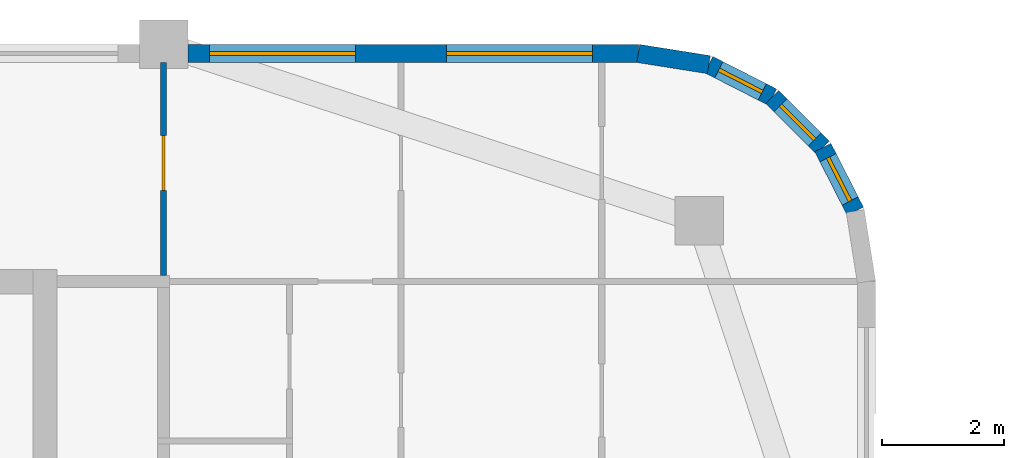
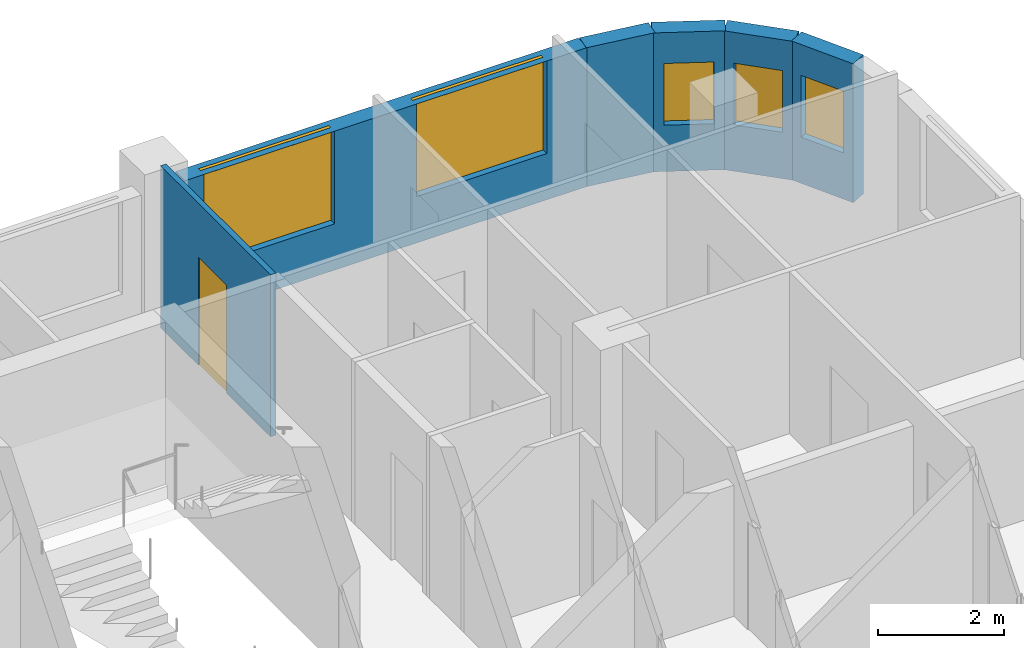
# One storey, part 12 of 16: 6 walls, 5 windows, 1 door, 6 openings.
"""IFC4 building model written with IfcOpenShell, lengths in metres."""

import ifcopenshell
import ifcopenshell.guid

model = None  # the IFC model being written
_history = None  # IfcOwnerHistory: only IFC2X3 demands one
_inside = {}  # id of a spatial element -> (the spatial element, [elements in it])
_under = {}  # id of a project, library or spatial element -> (it, [spatial elements below it])
_declared = {}  # id of a project -> (the project, [libraries it declares])
_typed = {}  # id of a type object -> (the type object, [elements of that type])
_made_of = {}  # id of a material, layer set ... -> (it, [elements and type objects made of it])


def new_model(schema):
    """Start an empty IFC model of exactly this schema.

    Asked for "IFC4X3", IfcOpenShell would pick the latest addendum, in which some entities
    have other attributes; the version numbers below select the first issue.
    IFC2X3 requires an IfcOwnerHistory on every rooted entity: one is made here for all.
    """
    global model, _history
    if schema == "IFC4X3":
        model = ifcopenshell.file(schema_version=(4, 3, 0, 0))
    else:
        model = ifcopenshell.file(schema=schema)
    _inside.clear()
    _under.clear()
    _declared.clear()
    _typed.clear()
    _made_of.clear()
    _history = None
    if model.schema == "IFC2X3":
        org = make("IfcOrganization", Name="unknown")
        user = make(
            "IfcPersonAndOrganization",
            ThePerson=make("IfcPerson", FamilyName="unknown"),
            TheOrganization=org,
        )
        app = make(
            "IfcApplication",
            ApplicationDeveloper=org,
            Version="unknown",
            ApplicationFullName="unknown",
            ApplicationIdentifier="unknown",
        )
        _history = make(
            "IfcOwnerHistory",
            OwningUser=user,
            OwningApplication=app,
            ChangeAction="ADDED",
            CreationDate=0,
        )
    return model


def make(cls, **values):
    """One entity of the class cls with the attributes given. An attribute that is None is left unset."""
    return model.create_entity(
        cls, **{name: value for name, value in values.items() if value is not None}
    )


def rooted(cls, **values):
    """An entity with a GlobalId (a new one), such as an element, a storey or a relation."""
    return make(cls, GlobalId=ifcopenshell.guid.new(), OwnerHistory=_history, **values)


def si_unit(unit_type, name, prefix=None):
    """IfcSIUnit, for example si_unit("LENGTHUNIT", "METRE", prefix="MILLI")."""
    return make("IfcSIUnit", UnitType=unit_type, Prefix=prefix, Name=name)


def assignment(units):
    """IfcUnitAssignment: the units of a project."""
    return None if units is None else make("IfcUnitAssignment", Units=units)


def point(xyz):
    """IfcCartesianPoint."""
    return None if xyz is None else make("IfcCartesianPoint", Coordinates=xyz)


def direction(xyz):
    """IfcDirection."""
    return None if xyz is None else make("IfcDirection", DirectionRatios=xyz)


def frame(location, z_axis=None, x_axis=None):
    """IfcAxis2Placement3D, a coordinate frame: its origin and axes. An axis left out is left unset."""
    return make(
        "IfcAxis2Placement3D",
        Location=point(location),
        Axis=direction(z_axis),
        RefDirection=direction(x_axis),
    )


def frame_2d(location, x_axis=None):
    """IfcAxis2Placement2D, a coordinate frame in the plane: its origin and x axis."""
    return make(
        "IfcAxis2Placement2D", Location=point(location), RefDirection=direction(x_axis)
    )


def origin():
    """The frame at (0, 0, 0) with its axes left unset."""
    return frame((0.0, 0.0, 0.0))


def place(relative_to, where):
    """IfcLocalPlacement: puts the frame where relative to a parent placement (None: the world)."""
    return make(
        "IfcLocalPlacement", PlacementRelTo=relative_to, RelativePlacement=where
    )


def context(
    kind, dimensions, precision=None, world=None, true_north=None, identifier=None
):
    """IfcGeometricRepresentationContext, for example the 3D "Model" context."""
    return make(
        "IfcGeometricRepresentationContext",
        ContextIdentifier=identifier,
        ContextType=kind,
        CoordinateSpaceDimension=dimensions,
        Precision=precision,
        WorldCoordinateSystem=world,
        TrueNorth=true_north,
    )


def subcontext(parent, identifier, kind, view, scale=None):
    """IfcGeometricRepresentationSubContext, for example "Body" below "Model"."""
    return make(
        "IfcGeometricRepresentationSubContext",
        ContextIdentifier=identifier,
        ContextType=kind,
        ParentContext=parent,
        TargetScale=scale,
        TargetView=view,
    )


def project(units=None, contexts=None):
    """IfcProject with its units and contexts."""
    return rooted(
        "IfcProject",
        Name="project",
        RepresentationContexts=contexts,
        UnitsInContext=assignment(units),
    )


def spatial(cls, under=None, at=None, **own):
    """A site, building, storey or space (cls), placed at a placement, below another one or the project."""
    s = rooted(cls, ObjectPlacement=at, **own)
    if under is not None:
        _under.setdefault(under.id(), (under, []))[1].append(s)
    return s


def profile(cls, at=None, kind="AREA", **sizes):
    """A parametric profile (cls). Its sizes go by their IFC names, for example OverallWidth=200.0."""
    return make(cls, ProfileType=kind, Position=at, **sizes)


def rectangle(**sizes):
    """IfcRectangleProfileDef."""
    return profile("IfcRectangleProfileDef", **sizes)


def extrude(swept, where, along, depth):
    """IfcExtrudedAreaSolid: the profile swept, set in the frame where, extruded along a direction by depth."""
    return make(
        "IfcExtrudedAreaSolid",
        SweptArea=swept,
        Position=where,
        ExtrudedDirection=direction(along),
        Depth=depth,
    )


def shape(context_of_items, identifier, shape_type, items):
    """IfcShapeRepresentation: the items that make up one representation, for example the "Body"."""
    return make(
        "IfcShapeRepresentation",
        ContextOfItems=context_of_items,
        RepresentationIdentifier=identifier,
        RepresentationType=shape_type,
        Items=items,
    )


def material(Name=None, Category=None):
    """IfcMaterial."""
    return make("IfcMaterial", Name=Name, Category=Category)


def layer(
    of_material, thickness, ventilated=None, Name=None, Category=None, Priority=None
):
    """IfcMaterialLayer: one layer of a wall or slab, of a material (None: an air gap)."""
    return make(
        "IfcMaterialLayer",
        Material=of_material,
        LayerThickness=thickness,
        IsVentilated=ventilated,
        Name=Name,
        Category=Category,
        Priority=Priority,
    )


def layer_set(layers, Name=None):
    """IfcMaterialLayerSet."""
    return make("IfcMaterialLayerSet", MaterialLayers=layers, LayerSetName=Name)


def made_of(thing, what):
    """Note that an element or type object is made of a material, layer set ...; save() writes the relation."""
    if what is not None:
        _made_of.setdefault(what.id(), (what, []))[1].append(thing)
    return thing


def type_object(cls, material=None, **own):
    """A type object (cls), such as IfcWallType, which elements share."""
    return made_of(rooted(cls, **own), material)


def element(
    cls,
    number,
    at=None,
    inside=None,
    cuts=None,
    type_object=None,
    material=None,
    context=None,
    identifier="Body",
    shape_type=None,
    held_by="IfcProductDefinitionShape",
    body=None,
    shapes=None,
    **own,
):
    """One element of the class cls, such as IfcWall. Its Tag is "e" and its number.

    at: its placement. inside: the storey or other place that contains it. cuts: it is an
    opening in that element (IfcRelVoidsElement). A single representation is given by context,
    identifier, shape_type and body (its items); several are given by shapes. held_by: the class
    of the entity that holds the representations. save() writes the other relations.
    """
    e = rooted(cls, Tag="e%d" % number, ObjectPlacement=at, **own)
    if body is not None:
        shapes = [shape(context, identifier, shape_type, body)]
    if shapes is not None:
        e.Representation = make(held_by, Representations=shapes)
    if inside is not None:
        _inside.setdefault(inside.id(), (inside, []))[1].append(e)
    if cuts is not None:
        rooted(
            "IfcRelVoidsElement", RelatingBuildingElement=cuts, RelatedOpeningElement=e
        )
    if type_object is not None:
        _typed.setdefault(type_object.id(), (type_object, []))[1].append(e)
    return made_of(e, material)


def fill(opening, filler):
    """IfcRelFillsElement: the door or window that sits in an opening."""
    return rooted(
        "IfcRelFillsElement",
        RelatingOpeningElement=opening,
        RelatedBuildingElement=filler,
    )


def aggregate(whole, parts):
    """IfcRelAggregates: a whole, such as a stair, and the parts it consists of."""
    return rooted("IfcRelAggregates", RelatingObject=whole, RelatedObjects=parts)


def save(model, path):
    """Write the relations noted so far, then the file.

    IfcRelAggregates (storeys below a building ...), IfcRelContainedInSpatialStructure (elements
    in a storey), IfcRelDefinesByType, IfcRelAssociatesMaterial and IfcRelDeclares: one each for
    every whole, place, type object, material and project.
    """
    for whole, parts in _under.values():
        aggregate(whole, parts)
    for where, things in _inside.values():
        rooted(
            "IfcRelContainedInSpatialStructure",
            RelatedElements=things,
            RelatingStructure=where,
        )
    for kind, things in _typed.values():
        rooted("IfcRelDefinesByType", RelatedObjects=things, RelatingType=kind)
    for what, things in _made_of.values():
        rooted("IfcRelAssociatesMaterial", RelatedObjects=things, RelatingMaterial=what)
    for by, libraries in _declared.values():
        rooted("IfcRelDeclares", RelatingContext=by, RelatedDefinitions=libraries)
    model.write(path)


model = new_model("IFC4")

# Units and contexts
model_context = context("Model", 3, precision=1e-05, world=origin(), true_north=direction((0.0, 1.0)))
body_context = subcontext(model_context, "Body", "Model", "MODEL_VIEW")
ifc_project = project(units=[si_unit("LENGTHUNIT", "METRE"), si_unit("AREAUNIT", "SQUARE_METRE"), si_unit("VOLUMEUNIT", "CUBIC_METRE"), si_unit("PLANEANGLEUNIT", "RADIAN"), si_unit("MASSUNIT", "GRAM", prefix="KILO")], contexts=[model_context])

# Site, building, storey
site_placement = place(None, origin())
site = spatial("IfcSite", under=ifc_project, at=site_placement, CompositionType="ELEMENT")
building_placement = place(site_placement, origin())
building = spatial("IfcBuilding", under=site, at=building_placement, Name="Ludao Terraces", CompositionType="ELEMENT")
storey_placement = place(building_placement, frame((0.0, 0.0, 234.699951171875)))
storey = spatial("IfcBuildingStorey", under=building, at=storey_placement, Name="L64", CompositionType="ELEMENT", Elevation=234.699951171875)

# Wall, openings, windows
ifc_material_1 = material(Name="Granite cladding", Category="masonry")
ifc_layer_1 = layer(ifc_material_1, 0.0400390625, Category="stone")
ifc_material_2 = material(Name="Mineral wool")
ifc_layer_2 = layer(ifc_material_2, 0.06005859375)
ifc_material_3 = material(Name="Concrete C40", Category="concrete")
ifc_layer_3 = layer(ifc_material_3, 0.199951171875, Category="concrete")
ifc_layer_set_1 = layer_set([ifc_layer_1, ifc_layer_2, ifc_layer_3], Name="ENV Stone-clad wall 300")
wall_type_1 = type_object("IfcWallType", Name="ENV Stone-clad wall 300", PredefinedType="SOLIDWALL", material=ifc_layer_set_1)
wall_1_placement = place(storey_placement, frame((97.10009765625, 88.25, 0.0), z_axis=(0.0, 0.0, 1.0), x_axis=(1.0, 0.0, 0.0)))
wall_1 = element("IfcWall", 1, at=wall_1_placement, inside=storey, type_object=wall_type_1, Name="EW-L64-N3", PredefinedType="SOLIDWALL", context=body_context, shape_type="SweptSolid", body=[
    extrude(rectangle(XDim=7.39990234375, YDim=0.300048828125, at=frame_2d((3.699951171875, 0.0))), origin(), (0.0, 0.0, 1.0), 2.699951171875),
])
opening_1_placement = place(wall_1_placement, frame((0.35009765625, 0.0, 0.89990234375)))
opening_1 = element("IfcOpeningElement", 2, at=opening_1_placement, cuts=wall_1, Name="Opening W1", PredefinedType="OPENING", context=body_context, shape_type="SweptSolid", body=[
    extrude(rectangle(XDim=2.39990234375, YDim=1.800048828125, at=frame_2d((1.199951171875, 0.89990234375))), frame((0.0, 0.16015625, 0.0), z_axis=(0.0, -1.0, 0.0), x_axis=(1.0, 0.0, 0.0)), (0.0, 0.0, 1.0), 0.320068359375),
])
opening_2_placement = place(wall_1_placement, frame((4.25, 0.0, 0.89990234375)))
opening_2 = element("IfcOpeningElement", 3, at=opening_2_placement, cuts=wall_1, Name="Opening W1", PredefinedType="OPENING", context=body_context, shape_type="SweptSolid", body=[
    extrude(rectangle(XDim=2.39990234375, YDim=1.800048828125, at=frame_2d((1.199951171875, 0.89990234375))), frame((0.0, 0.16015625, 0.0), z_axis=(0.0, -1.0, 0.0), x_axis=(1.0, 0.0, 0.0)), (0.0, 0.0, 1.0), 0.320068359375),
])
ifc_material_4 = material(Name="Clear glass in aluminium frame", Category="aluminium")
ifc_layer_4 = layer(ifc_material_4, 0.06005859375)
ifc_layer_set_2 = layer_set([ifc_layer_4], Name="ENV Window W1 2400x1800")
window_type_1 = type_object("IfcWindowType", Name="ENV Window W1 2400x1800", PartitioningType="DOUBLE_PANEL_VERTICAL", PredefinedType="WINDOW", material=ifc_layer_set_2)
window_1_placement = place(opening_1_placement, origin())
window_1 = element("IfcWindow", 4, at=window_1_placement, inside=storey, type_object=window_type_1, Name="W-L64-N3-1", OverallHeight=1.800048828125, OverallWidth=2.39990234375, PartitioningType="DOUBLE_PANEL_VERTICAL", PredefinedType="WINDOW", context=body_context, shape_type="SweptSolid", body=[
    extrude(rectangle(XDim=2.39990234375, YDim=1.800048828125, at=frame_2d((1.199951171875, 0.89990234375))), frame((0.0, 0.030029296875, 0.0), z_axis=(0.0, -1.0, 0.0), x_axis=(1.0, 0.0, 0.0)), (0.0, 0.0, 1.0), 0.06005859375),
])
fill(opening_1, window_1)
window_2_placement = place(opening_2_placement, origin())
window_2 = element("IfcWindow", 5, at=window_2_placement, inside=storey, type_object=window_type_1, Name="W-L64-N3-2", OverallHeight=1.800048828125, OverallWidth=2.39990234375, PartitioningType="DOUBLE_PANEL_VERTICAL", PredefinedType="WINDOW", context=body_context, shape_type="SweptSolid", body=[
    extrude(rectangle(XDim=2.39990234375, YDim=1.800048828125, at=frame_2d((1.199951171875, 0.89990234375))), frame((0.0, 0.030029296875, 0.0), z_axis=(0.0, -1.0, 0.0), x_axis=(1.0, 0.0, 0.0)), (0.0, 0.0, 1.0), 0.06005859375),
])
fill(opening_2, window_2)

# Wall, opening, window
wall_2_placement = place(storey_placement, frame((108.06640625, 85.65869140625, 0.0), z_axis=(0.0, 0.0, 1.0), x_axis=(-0.454025524128, 0.890988677504, 0.0)))
wall_2 = element("IfcWall", 6, at=wall_2_placement, inside=storey, type_object=wall_type_1, Name="EW-L64-NE2", PredefinedType="SOLIDWALL", context=body_context, shape_type="SweptSolid", body=[
    extrude(rectangle(XDim=1.17333984375, YDim=0.300048828125, at=frame_2d((0.586669921875, 0.0))), origin(), (0.0, 0.0, 1.0), 2.699951171875),
])
opening_3_placement = place(wall_2_placement, frame((0.1865234375, 0.0, 0.89990234375)))
opening_3 = element("IfcOpeningElement", 7, at=opening_3_placement, cuts=wall_2, Name="Opening W3", PredefinedType="OPENING", context=body_context, shape_type="SweptSolid", body=[
    extrude(rectangle(XDim=0.800048828125, YDim=1.199951171875, at=frame_2d((0.39990234375, 0.60009765625))), frame((0.0, 0.16015625, 0.0), z_axis=(0.0, -1.0, 0.0), x_axis=(1.0, 0.0, 0.0)), (0.0, 0.0, 1.0), 0.320068359375),
])
ifc_layer_5 = layer(ifc_material_4, 0.06005859375)
ifc_layer_set_3 = layer_set([ifc_layer_5], Name="ENV Window W3 800x1200")
window_type_2 = type_object("IfcWindowType", Name="ENV Window W3 800x1200", PartitioningType="SINGLE_PANEL", PredefinedType="WINDOW", material=ifc_layer_set_3)
window_3_placement = place(opening_3_placement, origin())
window_3 = element("IfcWindow", 8, at=window_3_placement, inside=storey, type_object=window_type_2, Name="W-L64-NE2", OverallHeight=1.199951171875, OverallWidth=0.800048828125, PartitioningType="SINGLE_PANEL", PredefinedType="WINDOW", context=body_context, shape_type="SweptSolid", body=[
    extrude(rectangle(XDim=0.800048828125, YDim=1.199951171875, at=frame_2d((0.39990234375, 0.60009765625))), frame((0.0, 0.030029296875, 0.0), z_axis=(0.0, -1.0, 0.0), x_axis=(1.0, 0.0, 0.0)), (0.0, 0.0, 1.0), 0.06005859375),
])
fill(opening_3, window_3)

wall_3_placement = place(storey_placement, frame((107.53369140625, 86.7041015625, 0.0), z_axis=(0.0, 0.0, 1.0), x_axis=(-0.707106781187, 0.707106781187, 0.0)))
wall_3 = element("IfcWall", 9, at=wall_3_placement, inside=storey, type_object=wall_type_1, Name="EW-L64-NE3", PredefinedType="SOLIDWALL", context=body_context, shape_type="SweptSolid", body=[
    extrude(rectangle(XDim=1.173095703125, YDim=0.300048828125, at=frame_2d((0.58642578125, 0.0))), origin(), (0.0, 0.0, 1.0), 2.699951171875),
])
opening_4_placement = place(wall_3_placement, frame((0.1865234375, 0.0, 0.89990234375)))
opening_4 = element("IfcOpeningElement", 10, at=opening_4_placement, cuts=wall_3, Name="Opening W3", PredefinedType="OPENING", context=body_context, shape_type="SweptSolid", body=[
    extrude(rectangle(XDim=0.800048828125, YDim=1.199951171875, at=frame_2d((0.39990234375, 0.60009765625))), frame((0.0, 0.16015625, 0.0), z_axis=(0.0, -1.0, 0.0), x_axis=(1.0, 0.0, 0.0)), (0.0, 0.0, 1.0), 0.320068359375),
])
window_4_placement = place(opening_4_placement, origin())
window_4 = element("IfcWindow", 11, at=window_4_placement, inside=storey, type_object=window_type_2, Name="W-L64-NE3", OverallHeight=1.199951171875, OverallWidth=0.800048828125, PartitioningType="SINGLE_PANEL", PredefinedType="WINDOW", context=body_context, shape_type="SweptSolid", body=[
    extrude(rectangle(XDim=0.800048828125, YDim=1.199951171875, at=frame_2d((0.39990234375, 0.60009765625))), frame((0.0, 0.030029296875, 0.0), z_axis=(0.0, -1.0, 0.0), x_axis=(1.0, 0.0, 0.0)), (0.0, 0.0, 1.0), 0.06005859375),
])
fill(opening_4, window_4)

wall_4_placement = place(storey_placement, frame((106.7041015625, 87.53369140625, 0.0), z_axis=(0.0, 0.0, 1.0), x_axis=(-0.890988677504, 0.454025524128, 0.0)))
wall_4 = element("IfcWall", 12, at=wall_4_placement, inside=storey, type_object=wall_type_1, Name="EW-L64-NE4", PredefinedType="SOLIDWALL", context=body_context, shape_type="SweptSolid", body=[
    extrude(rectangle(XDim=1.17333984375, YDim=0.300048828125, at=frame_2d((0.586669921875, 0.0))), origin(), (0.0, 0.0, 1.0), 2.699951171875),
])
opening_5_placement = place(wall_4_placement, frame((0.1865234375, 0.0, 0.89990234375)))
opening_5 = element("IfcOpeningElement", 13, at=opening_5_placement, cuts=wall_4, Name="Opening W3", PredefinedType="OPENING", context=body_context, shape_type="SweptSolid", body=[
    extrude(rectangle(XDim=0.800048828125, YDim=1.199951171875, at=frame_2d((0.39990234375, 0.60009765625))), frame((0.0, 0.16015625, 0.0), z_axis=(0.0, -1.0, 0.0), x_axis=(1.0, 0.0, 0.0)), (0.0, 0.0, 1.0), 0.320068359375),
])
window_5_placement = place(opening_5_placement, origin())
window_5 = element("IfcWindow", 14, at=window_5_placement, inside=storey, type_object=window_type_2, Name="W-L64-NE4", OverallHeight=1.199951171875, OverallWidth=0.800048828125, PartitioningType="SINGLE_PANEL", PredefinedType="WINDOW", context=body_context, shape_type="SweptSolid", body=[
    extrude(rectangle(XDim=0.800048828125, YDim=1.199951171875, at=frame_2d((0.39990234375, 0.60009765625))), frame((0.0, 0.030029296875, 0.0), z_axis=(0.0, -1.0, 0.0), x_axis=(1.0, 0.0, 0.0)), (0.0, 0.0, 1.0), 0.06005859375),
])
fill(opening_5, window_5)

# Wall
wall_5_placement = place(storey_placement, frame((105.65869140625, 88.06640625, 0.0), z_axis=(0.0, 0.0, 1.0), x_axis=(-0.987678452879, 0.156496880861, 0.0)))
element("IfcWall", 15, at=wall_5_placement, inside=storey, type_object=wall_type_1, Name="EW-L64-NE5", PredefinedType="SOLIDWALL", context=body_context, shape_type="SweptSolid", body=[
    extrude(rectangle(XDim=1.173095703125, YDim=0.300048828125, at=frame_2d((0.58642578125, 0.0))), origin(), (0.0, 0.0, 1.0), 2.699951171875),
])

# Wall, opening, door
ifc_material_5 = material(Name="Gypsum plasterboard", Category="gypsum")
ifc_layer_6 = layer(ifc_material_5, 0.012451171875, Category="gypsum")
ifc_layer_7 = layer(ifc_material_2, 0.06005859375, Name="insulation")
ifc_material_6 = material(Name="Steel Q235", Category="steel")
ifc_layer_8 = layer(ifc_material_6, 0.014892578125, Name="stud")
ifc_layer_9 = layer(ifc_material_5, 0.012451171875, Category="gypsum")
ifc_layer_set_4 = layer_set([ifc_layer_6, ifc_layer_7, ifc_layer_8, ifc_layer_9], Name="INT Partition 100")
wall_type_2 = type_object("IfcWallType", Name="INT Partition 100", PredefinedType="PARTITIONING", material=ifc_layer_set_4)
wall_6_placement = place(storey_placement, frame((96.699951171875, 84.60009765625, 0.0), z_axis=(0.0, 0.0, 1.0), x_axis=(0.0, 1.0, 0.0)))
wall_6 = element("IfcWall", 16, at=wall_6_placement, inside=storey, type_object=wall_type_2, Name="PW-L64-PW094", PredefinedType="PARTITIONING", context=body_context, shape_type="SweptSolid", body=[
    extrude(rectangle(XDim=3.5, YDim=0.10009765625, at=frame_2d((1.75, 0.0))), origin(), (0.0, 0.0, 1.0), 3.150146484375),
])
opening_6_placement = place(wall_6_placement, frame((1.39990234375, 0.0, 0.0)))
opening_6 = element("IfcOpeningElement", 17, at=opening_6_placement, cuts=wall_6, Name="Opening R23-142", PredefinedType="OPENING", context=body_context, shape_type="SweptSolid", body=[
    extrude(rectangle(XDim=0.89990234375, YDim=2.10009765625, at=frame_2d((0.449951171875, 1.050048828125))), frame((0.0, 0.06005859375, 0.0), z_axis=(0.0, -1.0, 0.0), x_axis=(1.0, 0.0, 0.0)), (0.0, 0.0, 1.0), 0.1201171875),
])
ifc_material_7 = material(Name="Timber door leaf", Category="wood")
door_type = type_object("IfcDoorType", Name="INT Room door 900", OperationType="SINGLE_SWING_LEFT", PredefinedType="DOOR", material=ifc_material_7)
door_placement = place(opening_6_placement, origin())
door = element("IfcDoor", 18, at=door_placement, inside=storey, type_object=door_type, Name="DOOR 142", OperationType="SINGLE_SWING_RIGHT", OverallHeight=2.10009765625, OverallWidth=0.89990234375, PredefinedType="DOOR", context=body_context, shape_type="SweptSolid", body=[
    extrude(rectangle(XDim=0.89990234375, YDim=2.10009765625, at=frame_2d((0.449951171875, 1.050048828125))), frame((0.0, 0.02490234375, 0.0), z_axis=(0.0, -1.0, 0.0), x_axis=(1.0, 0.0, 0.0)), (0.0, 0.0, 1.0), 0.050048828125),
])
fill(opening_6, door)

save(model, "model.ifc")
